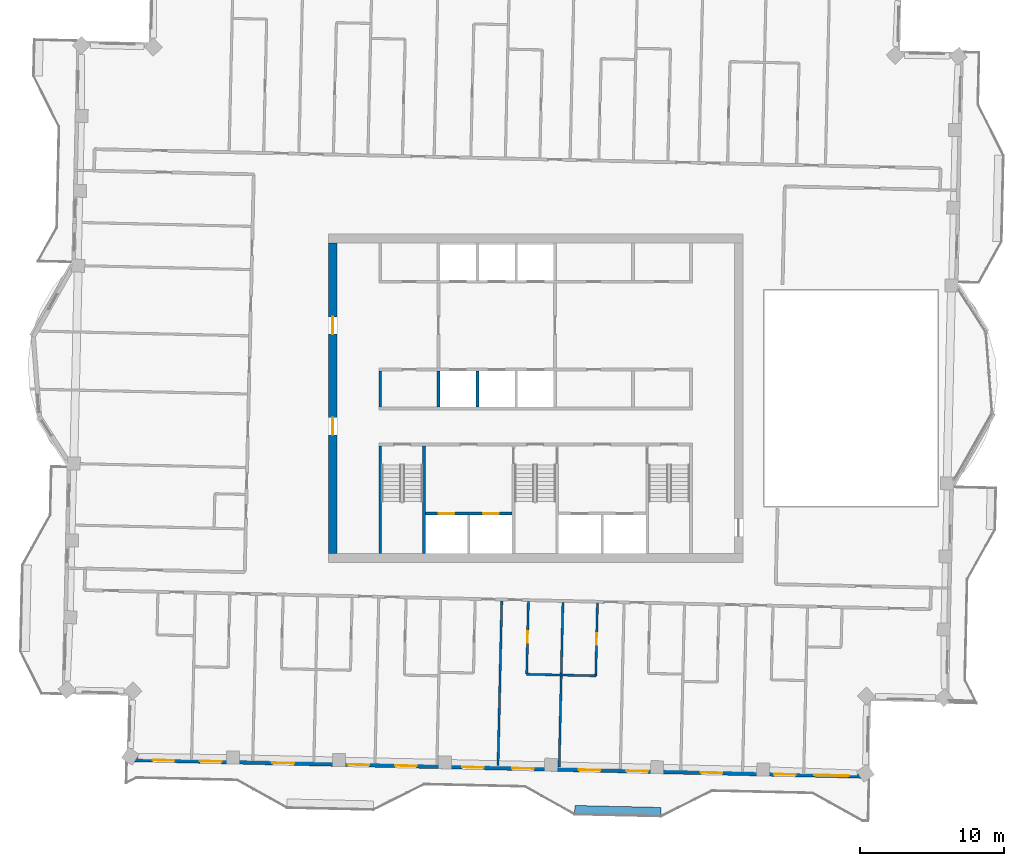
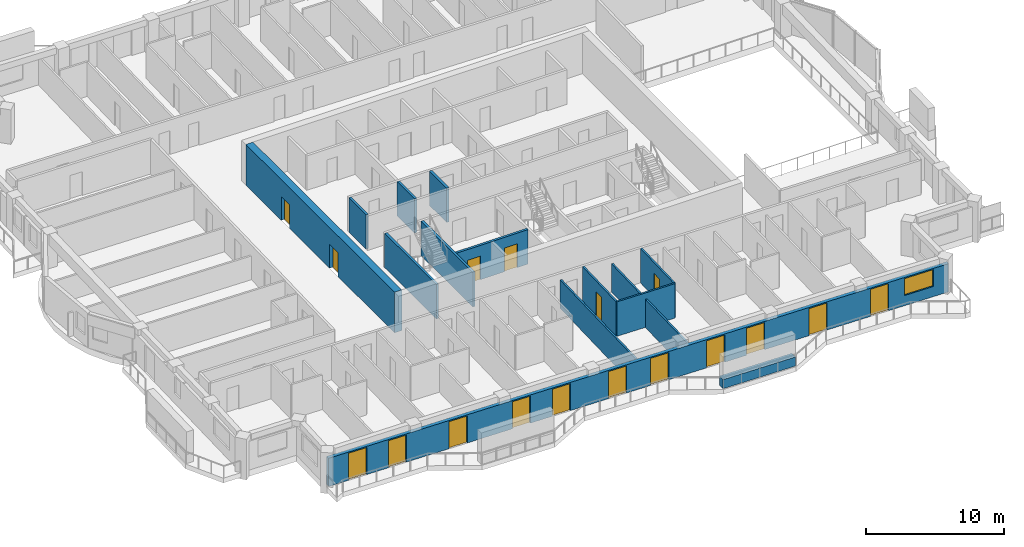
# One storey, part 5 of 15: 17 doors, 14 walls, 1 window, 18 openings.
"""IFC4 building model written with IfcOpenShell, lengths in metres."""

from ifc_helpers import new_model, si_unit, direction, frame, frame_2d, origin, place, context, subcontext, project, spatial, rectangle, extrude, material, layer, layer_set, type_object, element, fill, save


model = new_model("IFC4")

# Units and contexts
model_context = context("Model", 3, precision=1e-05, world=origin(), true_north=direction((0.0, 1.0)))
body_context = subcontext(model_context, "Body", "Model", "MODEL_VIEW")
ifc_project = project(units=[si_unit("LENGTHUNIT", "METRE"), si_unit("AREAUNIT", "SQUARE_METRE"), si_unit("VOLUMEUNIT", "CUBIC_METRE"), si_unit("PLANEANGLEUNIT", "RADIAN"), si_unit("MASSUNIT", "GRAM", prefix="KILO")], contexts=[model_context])

# Site, building, storey
site_placement = place(None, origin())
site = spatial("IfcSite", under=ifc_project, at=site_placement, CompositionType="ELEMENT")
building_placement = place(site_placement, origin())
building = spatial("IfcBuilding", under=site, at=building_placement, Name="Mangrove Gate Tower", CompositionType="ELEMENT")
storey_placement = place(building_placement, frame((0.0, 0.0, 306.10009765625)))
storey = spatial("IfcBuildingStorey", under=building, at=storey_placement, Name="L78", CompositionType="ELEMENT", Elevation=306.10009765625)

# Wall
ifc_material_1 = material(Name="Concrete C32/40", Category="concrete")
ifc_layer_1 = layer(ifc_material_1, 0.199951171875)
ifc_layer_set_1 = layer_set([ifc_layer_1], Name="Core room wall 200 C32/40")
wall_type_1 = type_object("IfcWallType", Name="Core room wall 200 C32/40", PredefinedType="STANDARD", material=ifc_layer_set_1)
wall_1_placement = place(storey_placement, frame((-10.800048828125, -0.60009765625, 0.0), z_axis=(0.0, 0.0, 1.0), x_axis=(0.0, 1.0, 0.0)))
element("IfcWall", 1, at=wall_1_placement, inside=storey, type_object=wall_type_1, Name="WALL-L78-CORE-19", PredefinedType="STANDARD", context=body_context, shape_type="SweptSolid", body=[
    extrude(rectangle(XDim=2.5, YDim=0.199951171875, at=frame_2d((1.25, 0.0))), origin(), (0.0, 0.0, 1.0), 3.0498046875),
])

# Wall, openings, doors
ifc_material_2 = material(Name="Concrete C50/60", Category="concrete")
ifc_layer_2 = layer(ifc_material_2, 0.199951171875)
ifc_layer_set_2 = layer_set([ifc_layer_2], Name="Core shaft wall 200 C50/60")
wall_type_2 = type_object("IfcWallType", Name="Core shaft wall 200 C50/60", PredefinedType="SHEAR", material=ifc_layer_set_2)
wall_2_placement = place(storey_placement, frame((-7.64990234375, -8.0, 0.0), z_axis=(0.0, 0.0, 1.0), x_axis=(1.0, 0.0, 0.0)))
wall_2 = element("IfcWall", 2, at=wall_2_placement, inside=storey, type_object=wall_type_2, Name="WALL-L78-CORE-15", PredefinedType="SHEAR", context=body_context, shape_type="SweptSolid", body=[
    extrude(rectangle(XDim=6.0, YDim=0.199951171875, at=frame_2d((3.0, 0.0))), origin(), (0.0, 0.0, 1.0), 3.0498046875),
])
opening_1_placement = place(wall_2_placement, frame((0.89990234375, 0.0, 0.0)))
opening_1 = element("IfcOpeningElement", 3, at=opening_1_placement, cuts=wall_2, Name="Opening LD", PredefinedType="OPENING", context=body_context, shape_type="SweptSolid", body=[
    extrude(rectangle(XDim=1.10009765625, YDim=2.10009765625, at=frame_2d((0.550048828125, 1.050048828125))), frame((0.0, 0.10986328125, 0.0), z_axis=(0.0, -1.0, 0.0), x_axis=(1.0, 0.0, 0.0)), (0.0, 0.0, 1.0), 0.219970703125),
])
opening_2_placement = place(wall_2_placement, frame((4.0, 0.0, 0.0)))
opening_2 = element("IfcOpeningElement", 4, at=opening_2_placement, cuts=wall_2, Name="Opening LD", PredefinedType="OPENING", context=body_context, shape_type="SweptSolid", body=[
    extrude(rectangle(XDim=1.10009765625, YDim=2.10009765625, at=frame_2d((0.550048828125, 1.050048828125))), frame((0.0, 0.10986328125, 0.0), z_axis=(0.0, -1.0, 0.0), x_axis=(1.0, 0.0, 0.0)), (0.0, 0.0, 1.0), 0.219970703125),
])
ifc_material_3 = material(Name="Stainless steel 316", Category="steel")
door_type_1 = type_object("IfcDoorType", Name="Lift landing door 1100x2100", OperationType="SLIDING_TO_LEFT", PredefinedType="DOOR", material=ifc_material_3)
door_1_placement = place(opening_1_placement, origin())
door_1 = element("IfcDoor", 5, at=door_1_placement, inside=storey, type_object=door_type_1, Name="Landing door LD SVL1", OperationType="SLIDING_TO_LEFT", OverallHeight=2.10009765625, OverallWidth=1.10009765625, PredefinedType="DOOR", context=body_context, shape_type="SweptSolid", body=[
    extrude(rectangle(XDim=1.10009765625, YDim=2.10009765625, at=frame_2d((0.550048828125, 1.050048828125))), frame((0.0, 0.02490234375, 0.0), z_axis=(0.0, -1.0, 0.0), x_axis=(1.0, 0.0, 0.0)), (0.0, 0.0, 1.0), 0.050048828125),
])
fill(opening_1, door_1)
door_2_placement = place(opening_2_placement, origin())
door_2 = element("IfcDoor", 6, at=door_2_placement, inside=storey, type_object=door_type_1, Name="Landing door LD SVL2", OperationType="SLIDING_TO_LEFT", OverallHeight=2.10009765625, OverallWidth=1.10009765625, PredefinedType="DOOR", context=body_context, shape_type="SweptSolid", body=[
    extrude(rectangle(XDim=1.10009765625, YDim=2.10009765625, at=frame_2d((0.550048828125, 1.050048828125))), frame((0.0, 0.02490234375, 0.0), z_axis=(0.0, -1.0, 0.0), x_axis=(1.0, 0.0, 0.0)), (0.0, 0.0, 1.0), 0.050048828125),
])
fill(opening_2, door_2)

# Walls
for number, where, z_axis, x_axis, name in (
    (7, (-6.75, -0.60009765625, 0.0), (0.0, 0.0, 1.0), (0.0, 1.0, 0.0), "WALL-L78-CORE-20"),
    (8, (-4.050048828125, -0.60009765625, 0.0), (0.0, 0.0, 1.0), (0.0, 1.0, 0.0), "WALL-L78-CORE-21"),
):
    element("IfcWall", number, at=place(storey_placement, frame(where, z_axis=z_axis, x_axis=x_axis)), inside=storey, type_object=wall_type_2, Name=name, PredefinedType="SHEAR", context=body_context, shape_type="SweptSolid", body=[
        extrude(rectangle(XDim=2.5, YDim=0.199951171875, at=frame_2d((1.25, 0.0))), origin(), (0.0, 0.0, 1.0), 3.0498046875),
    ])
ifc_material_4 = material(Name="Concrete C50/60", Category="concrete")
ifc_layer_3 = layer(ifc_material_4, 0.199951171875)
ifc_layer_set_3 = layer_set([ifc_layer_3], Name="Core stair wall 200 C50/60")
wall_type_3 = type_object("IfcWallType", Name="Core stair wall 200 C50/60", PredefinedType="SHEAR", material=ifc_layer_set_3)
for number, where, z_axis, x_axis, name in (
    (9, (-10.800048828125, -10.800048828125, 0.0), (0.0, 0.0, 1.0), (0.0, 1.0, 0.0), "WALL-L78-CORE-9"),
    (10, (-7.75, -10.800048828125, 0.0), (0.0, 0.0, 1.0), (0.0, 1.0, 0.0), "WALL-L78-CORE-10"),
):
    element("IfcWall", number, at=place(storey_placement, frame(where, z_axis=z_axis, x_axis=x_axis)), inside=storey, type_object=wall_type_3, Name=name, PredefinedType="SHEAR", context=body_context, shape_type="SweptSolid", body=[
        extrude(rectangle(XDim=7.5, YDim=0.199951171875, at=frame_2d((3.75, 0.0))), origin(), (0.0, 0.0, 1.0), 3.0498046875),
    ])

# Wall, openings, doors
ifc_material_5 = material(Name="Concrete C50/60", Category="concrete")
ifc_layer_4 = layer(ifc_material_5, 0.60009765625)
ifc_layer_set_4 = layer_set([ifc_layer_4], Name="Core wall 600 C50/60")
wall_type_4 = type_object("IfcWallType", Name="Core wall 600 C50/60", PredefinedType="SHEAR", material=ifc_layer_set_4)
wall_3_placement = place(storey_placement, frame((-14.10009765625, -10.800048828125, 0.0), z_axis=(0.0, 0.0, 1.0), x_axis=(0.0, 1.0, 0.0)))
wall_3 = element("IfcWall", 11, at=wall_3_placement, inside=storey, type_object=wall_type_4, Name="WALL-L78-CORE-3", PredefinedType="SHEAR", context=body_context, shape_type="SweptSolid", body=[
    extrude(rectangle(XDim=21.60009765625, YDim=0.60009765625, at=frame_2d((10.800048828125, 0.0))), origin(), (0.0, 0.0, 1.0), 3.599853515625),
])
opening_3_placement = place(wall_3_placement, frame((8.25, 0.0, 0.0)))
opening_3 = element("IfcOpeningElement", 12, at=opening_3_placement, cuts=wall_3, Name="Opening CD", PredefinedType="OPENING", context=body_context, shape_type="SweptSolid", body=[
    extrude(rectangle(XDim=1.199951171875, YDim=2.10009765625, at=frame_2d((0.60009765625, 1.050048828125))), frame((0.0, 0.31005859375, 0.0), z_axis=(0.0, -1.0, 0.0), x_axis=(1.0, 0.0, 0.0)), (0.0, 0.0, 1.0), 0.6201171875),
])
opening_4_placement = place(wall_3_placement, frame((15.25, 0.0, 0.0)))
opening_4 = element("IfcOpeningElement", 13, at=opening_4_placement, cuts=wall_3, Name="Opening CD", PredefinedType="OPENING", context=body_context, shape_type="SweptSolid", body=[
    extrude(rectangle(XDim=1.199951171875, YDim=2.10009765625, at=frame_2d((0.60009765625, 1.050048828125))), frame((0.0, 0.31005859375, 0.0), z_axis=(0.0, -1.0, 0.0), x_axis=(1.0, 0.0, 0.0)), (0.0, 0.0, 1.0), 0.6201171875),
])
ifc_material_6 = material(Name="Fire-rated steel door set", Category="steel")
door_type_2 = type_object("IfcDoorType", Name="Core ring door FD60 1200x2100", OperationType="DOUBLE_DOOR_SINGLE_SWING", PredefinedType="DOOR", material=ifc_material_6)
door_3_placement = place(opening_3_placement, origin())
door_3 = element("IfcDoor", 14, at=door_3_placement, inside=storey, type_object=door_type_2, Name="Core ring door W1", OperationType="DOUBLE_DOOR_SINGLE_SWING", OverallHeight=2.10009765625, OverallWidth=1.199951171875, PredefinedType="DOOR", context=body_context, shape_type="SweptSolid", body=[
    extrude(rectangle(XDim=1.199951171875, YDim=2.10009765625, at=frame_2d((0.60009765625, 1.050048828125))), frame((0.0, 0.02490234375, 0.0), z_axis=(0.0, -1.0, 0.0), x_axis=(1.0, 0.0, 0.0)), (0.0, 0.0, 1.0), 0.050048828125),
])
fill(opening_3, door_3)
door_4_placement = place(opening_4_placement, origin())
door_4 = element("IfcDoor", 15, at=door_4_placement, inside=storey, type_object=door_type_2, Name="Core ring door W2", OperationType="DOUBLE_DOOR_SINGLE_SWING", OverallHeight=2.10009765625, OverallWidth=1.199951171875, PredefinedType="DOOR", context=body_context, shape_type="SweptSolid", body=[
    extrude(rectangle(XDim=1.199951171875, YDim=2.10009765625, at=frame_2d((0.60009765625, 1.050048828125))), frame((0.0, 0.02490234375, 0.0), z_axis=(0.0, -1.0, 0.0), x_axis=(1.0, 0.0, 0.0)), (0.0, 0.0, 1.0), 0.050048828125),
])
fill(opening_4, door_4)

# Wall, openings, doors, window
ifc_material_7 = material(Name="Limestone", Category="masonry")
ifc_layer_5 = layer(ifc_material_7, 0.0400390625, Name="Limestone cladding")
ifc_material_8 = material(Name="Ventilated air gap")
ifc_layer_6 = layer(ifc_material_8, 0.0400390625, Name="Ventilated cavity")
ifc_material_9 = material(Name="Mineral wool insulation")
ifc_layer_7 = layer(ifc_material_9, 0.06005859375, Name="Insulation")
ifc_material_10 = material(Name="Breather membrane")
ifc_layer_8 = layer(ifc_material_10, 0.001953125, Name="Breather membrane")
ifc_material_11 = material(Name="Concrete C20/25 blockwork", Category="masonry")
ifc_layer_9 = layer(ifc_material_11, 0.14990234375, Name="Blockwork backing wall")
ifc_material_12 = material(Name="Gypsum plaster")
ifc_layer_10 = layer(ifc_material_12, 0.008056640625, Name="Internal plaster")
ifc_layer_set_5 = layer_set([ifc_layer_5, ifc_layer_6, ifc_layer_7, ifc_layer_8, ifc_layer_9, ifc_layer_10], Name="External wall 300 limestone cladding")
wall_type_5 = type_object("IfcWallType", Name="External wall 300 limestone cladding", PredefinedType="SOLIDWALL", material=ifc_layer_set_5)
wall_4_placement = place(storey_placement, frame((-28.263916015625, -25.10205078125, 0.0), z_axis=(0.0, 0.0, 1.0), x_axis=(0.999742520573, -0.022691244094, 0.0)))
wall_4 = element("IfcWall", 16, at=wall_4_placement, inside=storey, type_object=wall_type_5, Name="WALL-L78-S13", PredefinedType="SOLIDWALL", context=body_context, shape_type="SweptSolid", body=[
    extrude(rectangle(XDim=51.300048828125, YDim=0.300048828125, at=frame_2d((25.64990234375, 0.0))), origin(), (0.0, 0.0, 1.0), 2.5),
])
opening_5_placement = place(wall_4_placement, frame((1.654052734375, 0.0, 0.0)))
opening_5 = element("IfcOpeningElement", 17, at=opening_5_placement, cuts=wall_4, Name="Opening BD1", PredefinedType="OPENING", context=body_context, shape_type="SweptSolid", body=[
    extrude(rectangle(XDim=1.5, YDim=2.39990234375, at=frame_2d((0.75, 1.199951171875))), frame((0.0, 0.159912109375, 0.0), z_axis=(0.0, -1.0, 0.0), x_axis=(1.0, 0.0, 0.0)), (0.0, 0.0, 1.0), 0.320068359375),
])
opening_6_placement = place(wall_4_placement, frame((4.93603515625, 0.0, 0.0)))
opening_6 = element("IfcOpeningElement", 18, at=opening_6_placement, cuts=wall_4, Name="Opening BD1", PredefinedType="OPENING", context=body_context, shape_type="SweptSolid", body=[
    extrude(rectangle(XDim=1.5, YDim=2.39990234375, at=frame_2d((0.75, 1.199951171875))), frame((0.0, 0.159912109375, 0.0), z_axis=(0.0, -1.0, 0.0), x_axis=(1.0, 0.0, 0.0)), (0.0, 0.0, 1.0), 0.320068359375),
])
opening_7_placement = place(wall_4_placement, frame((9.97509765625, 0.0, 0.0)))
opening_7 = element("IfcOpeningElement", 19, at=opening_7_placement, cuts=wall_4, Name="Opening BD1", PredefinedType="OPENING", context=body_context, shape_type="SweptSolid", body=[
    extrude(rectangle(XDim=1.5, YDim=2.39990234375, at=frame_2d((0.75, 1.199951171875))), frame((0.0, 0.159912109375, 0.0), z_axis=(0.0, -1.0, 0.0), x_axis=(1.0, 0.0, 0.0)), (0.0, 0.0, 1.0), 0.320068359375),
])
opening_8_placement = place(wall_4_placement, frame((15.196044921875, 0.0, 0.0)))
opening_8 = element("IfcOpeningElement", 20, at=opening_8_placement, cuts=wall_4, Name="Opening BD1", PredefinedType="OPENING", context=body_context, shape_type="SweptSolid", body=[
    extrude(rectangle(XDim=1.5, YDim=2.39990234375, at=frame_2d((0.75, 1.199951171875))), frame((0.0, 0.159912109375, 0.0), z_axis=(0.0, -1.0, 0.0), x_axis=(1.0, 0.0, 0.0)), (0.0, 0.0, 1.0), 0.320068359375),
])
opening_9_placement = place(wall_4_placement, frame((18.5, 0.0, 0.0)))
opening_9 = element("IfcOpeningElement", 21, at=opening_9_placement, cuts=wall_4, Name="Opening BD1", PredefinedType="OPENING", context=body_context, shape_type="SweptSolid", body=[
    extrude(rectangle(XDim=1.5, YDim=2.39990234375, at=frame_2d((0.75, 1.199951171875))), frame((0.0, 0.159912109375, 0.0), z_axis=(0.0, -1.0, 0.0), x_axis=(1.0, 0.0, 0.0)), (0.0, 0.0, 1.0), 0.320068359375),
])
opening_10_placement = place(wall_4_placement, frame((23.156982421875, 0.0, 0.0)))
opening_10 = element("IfcOpeningElement", 22, at=opening_10_placement, cuts=wall_4, Name="Opening BD1", PredefinedType="OPENING", context=body_context, shape_type="SweptSolid", body=[
    extrude(rectangle(XDim=1.5, YDim=2.39990234375, at=frame_2d((0.75, 1.199951171875))), frame((0.0, 0.159912109375, 0.0), z_axis=(0.0, -1.0, 0.0), x_axis=(1.0, 0.0, 0.0)), (0.0, 0.0, 1.0), 0.320068359375),
])
opening_11_placement = place(wall_4_placement, frame((26.64306640625, 0.0, 0.0)))
opening_11 = element("IfcOpeningElement", 23, at=opening_11_placement, cuts=wall_4, Name="Opening BD1", PredefinedType="OPENING", context=body_context, shape_type="SweptSolid", body=[
    extrude(rectangle(XDim=1.5, YDim=2.39990234375, at=frame_2d((0.75, 1.199951171875))), frame((0.0, 0.159912109375, 0.0), z_axis=(0.0, -1.0, 0.0), x_axis=(1.0, 0.0, 0.0)), (0.0, 0.0, 1.0), 0.320068359375),
])
opening_12_placement = place(wall_4_placement, frame((31.27490234375, 0.0, 0.0)))
opening_12 = element("IfcOpeningElement", 24, at=opening_12_placement, cuts=wall_4, Name="Opening BD1", PredefinedType="OPENING", context=body_context, shape_type="SweptSolid", body=[
    extrude(rectangle(XDim=1.5, YDim=2.39990234375, at=frame_2d((0.75, 1.199951171875))), frame((0.0, 0.159912109375, 0.0), z_axis=(0.0, -1.0, 0.0), x_axis=(1.0, 0.0, 0.0)), (0.0, 0.0, 1.0), 0.320068359375),
])
opening_13_placement = place(wall_4_placement, frame((34.577880859375, 0.0, 0.0)))
opening_13 = element("IfcOpeningElement", 25, at=opening_13_placement, cuts=wall_4, Name="Opening BD1", PredefinedType="OPENING", context=body_context, shape_type="SweptSolid", body=[
    extrude(rectangle(XDim=1.5, YDim=2.39990234375, at=frame_2d((0.75, 1.199951171875))), frame((0.0, 0.159912109375, 0.0), z_axis=(0.0, -1.0, 0.0), x_axis=(1.0, 0.0, 0.0)), (0.0, 0.0, 1.0), 0.320068359375),
])
opening_14_placement = place(wall_4_placement, frame((39.75, 0.0, 0.0)))
opening_14 = element("IfcOpeningElement", 26, at=opening_14_placement, cuts=wall_4, Name="Opening BD1", PredefinedType="OPENING", context=body_context, shape_type="SweptSolid", body=[
    extrude(rectangle(XDim=1.5, YDim=2.39990234375, at=frame_2d((0.75, 1.199951171875))), frame((0.0, 0.159912109375, 0.0), z_axis=(0.0, -1.0, 0.0), x_axis=(1.0, 0.0, 0.0)), (0.0, 0.0, 1.0), 0.320068359375),
])
opening_15_placement = place(wall_4_placement, frame((44.839111328125, 0.0, 0.0)))
opening_15 = element("IfcOpeningElement", 27, at=opening_15_placement, cuts=wall_4, Name="Opening BD1", PredefinedType="OPENING", context=body_context, shape_type="SweptSolid", body=[
    extrude(rectangle(XDim=1.5, YDim=2.39990234375, at=frame_2d((0.75, 1.199951171875))), frame((0.0, 0.159912109375, 0.0), z_axis=(0.0, -1.0, 0.0), x_axis=(1.0, 0.0, 0.0)), (0.0, 0.0, 1.0), 0.320068359375),
])
opening_16_placement = place(wall_4_placement, frame((47.6279296875, 0.0, 0.89990234375)))
opening_16 = element("IfcOpeningElement", 28, at=opening_16_placement, cuts=wall_4, Name="Opening W2", PredefinedType="OPENING", context=body_context, shape_type="SweptSolid", body=[
    extrude(rectangle(XDim=2.39990234375, YDim=1.5, at=frame_2d((1.199951171875, 0.75))), frame((0.0, 0.159912109375, 0.0), z_axis=(0.0, -1.0, 0.0), x_axis=(1.0, 0.0, 0.0)), (0.0, 0.0, 1.0), 0.320068359375),
])
ifc_material_13 = material(Name="Aluminium frame with laminated clear glass", Category="aluminium")
door_type_3 = type_object("IfcDoorType", Name="Balcony sliding door 1500x2400", OperationType="SLIDING_TO_LEFT", PredefinedType="DOOR", material=ifc_material_13)
door_5_placement = place(opening_5_placement, origin())
door_5 = element("IfcDoor", 29, at=door_5_placement, inside=storey, type_object=door_type_3, Name="DOOR-L78-S13-1", OperationType="SLIDING_TO_LEFT", OverallHeight=2.39990234375, OverallWidth=1.5, PredefinedType="DOOR", context=body_context, shape_type="SweptSolid", body=[
    extrude(rectangle(XDim=1.5, YDim=2.39990234375, at=frame_2d((0.75, 1.199951171875))), frame((0.0, 0.02490234375, 0.0), z_axis=(0.0, -1.0, 0.0), x_axis=(1.0, 0.0, 0.0)), (0.0, 0.0, 1.0), 0.050048828125),
])
fill(opening_5, door_5)
door_6_placement = place(opening_6_placement, origin())
door_6 = element("IfcDoor", 30, at=door_6_placement, inside=storey, type_object=door_type_3, Name="DOOR-L78-S13-2", OperationType="SLIDING_TO_LEFT", OverallHeight=2.39990234375, OverallWidth=1.5, PredefinedType="DOOR", context=body_context, shape_type="SweptSolid", body=[
    extrude(rectangle(XDim=1.5, YDim=2.39990234375, at=frame_2d((0.75, 1.199951171875))), frame((0.0, 0.02490234375, 0.0), z_axis=(0.0, -1.0, 0.0), x_axis=(1.0, 0.0, 0.0)), (0.0, 0.0, 1.0), 0.050048828125),
])
fill(opening_6, door_6)
door_7_placement = place(opening_7_placement, origin())
door_7 = element("IfcDoor", 31, at=door_7_placement, inside=storey, type_object=door_type_3, Name="DOOR-L78-S13-3", OperationType="SLIDING_TO_LEFT", OverallHeight=2.39990234375, OverallWidth=1.5, PredefinedType="DOOR", context=body_context, shape_type="SweptSolid", body=[
    extrude(rectangle(XDim=1.5, YDim=2.39990234375, at=frame_2d((0.75, 1.199951171875))), frame((0.0, 0.02490234375, 0.0), z_axis=(0.0, -1.0, 0.0), x_axis=(1.0, 0.0, 0.0)), (0.0, 0.0, 1.0), 0.050048828125),
])
fill(opening_7, door_7)
door_8_placement = place(opening_8_placement, origin())
door_8 = element("IfcDoor", 32, at=door_8_placement, inside=storey, type_object=door_type_3, Name="DOOR-L78-S13-4", OperationType="SLIDING_TO_LEFT", OverallHeight=2.39990234375, OverallWidth=1.5, PredefinedType="DOOR", context=body_context, shape_type="SweptSolid", body=[
    extrude(rectangle(XDim=1.5, YDim=2.39990234375, at=frame_2d((0.75, 1.199951171875))), frame((0.0, 0.02490234375, 0.0), z_axis=(0.0, -1.0, 0.0), x_axis=(1.0, 0.0, 0.0)), (0.0, 0.0, 1.0), 0.050048828125),
])
fill(opening_8, door_8)
door_9_placement = place(opening_9_placement, origin())
door_9 = element("IfcDoor", 33, at=door_9_placement, inside=storey, type_object=door_type_3, Name="DOOR-L78-S13-5", OperationType="SLIDING_TO_LEFT", OverallHeight=2.39990234375, OverallWidth=1.5, PredefinedType="DOOR", context=body_context, shape_type="SweptSolid", body=[
    extrude(rectangle(XDim=1.5, YDim=2.39990234375, at=frame_2d((0.75, 1.199951171875))), frame((0.0, 0.02490234375, 0.0), z_axis=(0.0, -1.0, 0.0), x_axis=(1.0, 0.0, 0.0)), (0.0, 0.0, 1.0), 0.050048828125),
])
fill(opening_9, door_9)
door_10_placement = place(opening_10_placement, origin())
door_10 = element("IfcDoor", 34, at=door_10_placement, inside=storey, type_object=door_type_3, Name="DOOR-L78-S13-6", OperationType="SLIDING_TO_LEFT", OverallHeight=2.39990234375, OverallWidth=1.5, PredefinedType="DOOR", context=body_context, shape_type="SweptSolid", body=[
    extrude(rectangle(XDim=1.5, YDim=2.39990234375, at=frame_2d((0.75, 1.199951171875))), frame((0.0, 0.02490234375, 0.0), z_axis=(0.0, -1.0, 0.0), x_axis=(1.0, 0.0, 0.0)), (0.0, 0.0, 1.0), 0.050048828125),
])
fill(opening_10, door_10)
door_11_placement = place(opening_11_placement, origin())
door_11 = element("IfcDoor", 35, at=door_11_placement, inside=storey, type_object=door_type_3, Name="DOOR-L78-S13-7", OperationType="SLIDING_TO_LEFT", OverallHeight=2.39990234375, OverallWidth=1.5, PredefinedType="DOOR", context=body_context, shape_type="SweptSolid", body=[
    extrude(rectangle(XDim=1.5, YDim=2.39990234375, at=frame_2d((0.75, 1.199951171875))), frame((0.0, 0.02490234375, 0.0), z_axis=(0.0, -1.0, 0.0), x_axis=(1.0, 0.0, 0.0)), (0.0, 0.0, 1.0), 0.050048828125),
])
fill(opening_11, door_11)
door_12_placement = place(opening_12_placement, origin())
door_12 = element("IfcDoor", 36, at=door_12_placement, inside=storey, type_object=door_type_3, Name="DOOR-L78-S13-8", OperationType="SLIDING_TO_LEFT", OverallHeight=2.39990234375, OverallWidth=1.5, PredefinedType="DOOR", context=body_context, shape_type="SweptSolid", body=[
    extrude(rectangle(XDim=1.5, YDim=2.39990234375, at=frame_2d((0.75, 1.199951171875))), frame((0.0, 0.02490234375, 0.0), z_axis=(0.0, -1.0, 0.0), x_axis=(1.0, 0.0, 0.0)), (0.0, 0.0, 1.0), 0.050048828125),
])
fill(opening_12, door_12)
door_13_placement = place(opening_13_placement, origin())
door_13 = element("IfcDoor", 37, at=door_13_placement, inside=storey, type_object=door_type_3, Name="DOOR-L78-S13-9", OperationType="SLIDING_TO_LEFT", OverallHeight=2.39990234375, OverallWidth=1.5, PredefinedType="DOOR", context=body_context, shape_type="SweptSolid", body=[
    extrude(rectangle(XDim=1.5, YDim=2.39990234375, at=frame_2d((0.75, 1.199951171875))), frame((0.0, 0.02490234375, 0.0), z_axis=(0.0, -1.0, 0.0), x_axis=(1.0, 0.0, 0.0)), (0.0, 0.0, 1.0), 0.050048828125),
])
fill(opening_13, door_13)
door_14_placement = place(opening_14_placement, origin())
door_14 = element("IfcDoor", 38, at=door_14_placement, inside=storey, type_object=door_type_3, Name="DOOR-L78-S13-10", OperationType="SLIDING_TO_LEFT", OverallHeight=2.39990234375, OverallWidth=1.5, PredefinedType="DOOR", context=body_context, shape_type="SweptSolid", body=[
    extrude(rectangle(XDim=1.5, YDim=2.39990234375, at=frame_2d((0.75, 1.199951171875))), frame((0.0, 0.02490234375, 0.0), z_axis=(0.0, -1.0, 0.0), x_axis=(1.0, 0.0, 0.0)), (0.0, 0.0, 1.0), 0.050048828125),
])
fill(opening_14, door_14)
door_15_placement = place(opening_15_placement, origin())
door_15 = element("IfcDoor", 39, at=door_15_placement, inside=storey, type_object=door_type_3, Name="DOOR-L78-S13-11", OperationType="SLIDING_TO_LEFT", OverallHeight=2.39990234375, OverallWidth=1.5, PredefinedType="DOOR", context=body_context, shape_type="SweptSolid", body=[
    extrude(rectangle(XDim=1.5, YDim=2.39990234375, at=frame_2d((0.75, 1.199951171875))), frame((0.0, 0.02490234375, 0.0), z_axis=(0.0, -1.0, 0.0), x_axis=(1.0, 0.0, 0.0)), (0.0, 0.0, 1.0), 0.050048828125),
])
fill(opening_15, door_15)
ifc_material_14 = material(Name="Aluminium frame with double-glazed low-e glass", Category="aluminium")
window_type = type_object("IfcWindowType", Name="Corner room window 2400x1500", PartitioningType="DOUBLE_PANEL_VERTICAL", PredefinedType="WINDOW", material=ifc_material_14)
window_placement = place(opening_16_placement, origin())
window = element("IfcWindow", 40, at=window_placement, inside=storey, type_object=window_type, Name="WIN-L78-S13-12", OverallHeight=1.5, OverallWidth=2.39990234375, PartitioningType="DOUBLE_PANEL_VERTICAL", PredefinedType="WINDOW", context=body_context, shape_type="SweptSolid", body=[
    extrude(rectangle(XDim=2.39990234375, YDim=1.5, at=frame_2d((1.199951171875, 0.75))), frame((0.0, 0.030029296875, 0.0), z_axis=(0.0, -1.0, 0.0), x_axis=(1.0, 0.0, 0.0)), (0.0, 0.0, 1.0), 0.06005859375),
])
fill(opening_16, window)

# Walls
ifc_material_15 = material(Name="Gypsum board on steel stud, EI 60", Category="steel")
ifc_layer_11 = layer(ifc_material_15, 0.14990234375)
ifc_layer_set_6 = layer_set([ifc_layer_11], Name="Party wall 150 EI 60")
wall_type_6 = type_object("IfcWallType", Name="Party wall 150 EI 60", PredefinedType="PARTITIONING", material=ifc_layer_set_6)
wall_5_placement = place(storey_placement, frame((-2.616943359375, -25.533935546875, 0.0), z_axis=(0.0, 0.0, 1.0), x_axis=(0.022708327922, 0.999742132674, 0.0)))
element("IfcWall", 41, at=wall_5_placement, inside=storey, type_object=wall_type_6, Name="WALL-L78-006", PredefinedType="PARTITIONING", context=body_context, shape_type="SweptSolid", body=[
    extrude(rectangle(XDim=11.449951171875, YDim=0.14990234375, at=frame_2d((5.72509765625, 0.0))), origin(), (0.0, 0.0, 1.0), 2.5),
])
wall_6_placement = place(storey_placement, frame((1.632080078125, -25.6298828125, 0.0), z_axis=(0.0, 0.0, 1.0), x_axis=(0.022708812003, 0.999742121678, 0.0)))
element("IfcWall", 42, at=wall_6_placement, inside=storey, type_object=wall_type_6, Name="WALL-L78-007", PredefinedType="PARTITIONING", context=body_context, shape_type="SweptSolid", body=[
    extrude(rectangle(XDim=11.44970703125, YDim=0.14990234375, at=frame_2d((5.724853515625, 0.0))), origin(), (0.0, 0.0, 1.0), 2.5),
])
wall_7_placement = place(storey_placement, frame((-0.6220703125, -19.177978515625, 0.0), z_axis=(0.0, 0.0, 1.0), x_axis=(0.999747191239, -0.022484519337, 0.0)))
element("IfcWall", 43, at=wall_7_placement, inside=storey, type_object=wall_type_6, Name="WALL-L78-023", PredefinedType="PARTITIONING", context=body_context, shape_type="SweptSolid", body=[
    extrude(rectangle(XDim=4.79931640625, YDim=0.14990234375, at=frame_2d((2.399658203125, 0.0))), origin(), (0.0, 0.0, 1.0), 3.0498046875),
])

# Wall, opening, door
wall_8_placement = place(storey_placement, frame((-0.6220703125, -19.177978515625, 0.0), z_axis=(0.0, 0.0, 1.0), x_axis=(0.02257535817, 0.999745144126, 0.0)))
wall_8 = element("IfcWall", 44, at=wall_8_placement, inside=storey, type_object=wall_type_6, Name="WALL-L78-024", PredefinedType="PARTITIONING", context=body_context, shape_type="SweptSolid", body=[
    extrude(rectangle(XDim=5.05029296875, YDim=0.14990234375, at=frame_2d((2.525146484375, 0.0))), origin(), (0.0, 0.0, 1.0), 3.0498046875),
])
opening_17_placement = place(wall_8_placement, frame((2.175048828125, 0.0, 0.0)))
opening_17 = element("IfcOpeningElement", 45, at=opening_17_placement, cuts=wall_8, Name="Opening ED", PredefinedType="OPENING", context=body_context, shape_type="SweptSolid", body=[
    extrude(rectangle(XDim=0.800048828125, YDim=2.10009765625, at=frame_2d((0.39990234375, 1.050048828125))), frame((0.0, 0.0849609375, 0.0), z_axis=(0.0, -1.0, 0.0), x_axis=(1.0, 0.0, 0.0)), (0.0, 0.0, 1.0), 0.169921875),
])
ifc_material_16 = material(Name="Timber door leaf", Category="wood")
door_type_4 = type_object("IfcDoorType", Name="En-suite door 800", OperationType="SINGLE_SWING_LEFT", PredefinedType="DOOR", material=ifc_material_16)
door_16_placement = place(opening_17_placement, origin())
door_16 = element("IfcDoor", 46, at=door_16_placement, inside=storey, type_object=door_type_4, Name="DOOR-L78-ENS-c206", OperationType="SINGLE_SWING_RIGHT", OverallHeight=2.10009765625, OverallWidth=0.800048828125, PredefinedType="DOOR", context=body_context, shape_type="SweptSolid", body=[
    extrude(rectangle(XDim=0.800048828125, YDim=2.10009765625, at=frame_2d((0.39990234375, 1.050048828125))), frame((0.0, 0.02490234375, 0.0), z_axis=(0.0, -1.0, 0.0), x_axis=(1.0, 0.0, 0.0)), (0.0, 0.0, 1.0), 0.050048828125),
])
fill(opening_17, door_16)

wall_9_placement = place(storey_placement, frame((4.176025390625, -19.285888671875, 0.0), z_axis=(0.0, 0.0, 1.0), x_axis=(0.022774126501, 0.999740635946, 0.0)))
wall_9 = element("IfcWall", 47, at=wall_9_placement, inside=storey, type_object=wall_type_6, Name="WALL-L78-025", PredefinedType="PARTITIONING", context=body_context, shape_type="SweptSolid", body=[
    extrude(rectangle(XDim=5.049072265625, YDim=0.14990234375, at=frame_2d((2.5244140625, 0.0))), origin(), (0.0, 0.0, 1.0), 3.0498046875),
])
opening_18_placement = place(wall_9_placement, frame((2.175048828125, 0.0, 0.0)))
opening_18 = element("IfcOpeningElement", 48, at=opening_18_placement, cuts=wall_9, Name="Opening ED", PredefinedType="OPENING", context=body_context, shape_type="SweptSolid", body=[
    extrude(rectangle(XDim=0.800048828125, YDim=2.10009765625, at=frame_2d((0.39990234375, 1.050048828125))), frame((0.0, 0.0849609375, 0.0), z_axis=(0.0, -1.0, 0.0), x_axis=(1.0, 0.0, 0.0)), (0.0, 0.0, 1.0), 0.169921875),
])
door_17_placement = place(opening_18_placement, origin())
door_17 = element("IfcDoor", 49, at=door_17_placement, inside=storey, type_object=door_type_4, Name="DOOR-L78-ENS-c207", OperationType="SINGLE_SWING_LEFT", OverallHeight=2.10009765625, OverallWidth=0.800048828125, PredefinedType="DOOR", context=body_context, shape_type="SweptSolid", body=[
    extrude(rectangle(XDim=0.800048828125, YDim=2.10009765625, at=frame_2d((0.39990234375, 1.050048828125))), frame((0.0, 0.02490234375, 0.0), z_axis=(0.0, -1.0, 0.0), x_axis=(1.0, 0.0, 0.0)), (0.0, 0.0, 1.0), 0.050048828125),
])
fill(opening_18, door_17)

# Wall
ifc_material_17 = material(Name="Concrete C32/40", Category="concrete")
ifc_layer_12 = layer(ifc_material_17, 0.199951171875, Name="Planter trough wall")
ifc_material_18 = material(Name="Bituminous waterproofing membrane")
ifc_layer_13 = layer(ifc_material_18, 0.0048828125, Name="Waterproofing")
ifc_material_19 = material(Name="Drainage board and gravel")
ifc_layer_14 = layer(ifc_material_19, 0.044921875, Name="Drainage layer")
ifc_material_20 = material(Name="Planting soil")
ifc_layer_15 = layer(ifc_material_20, 0.300048828125, Name="Growing medium")
ifc_layer_set_7 = layer_set([ifc_layer_12, ifc_layer_13, ifc_layer_14, ifc_layer_15], Name="Planter wall 550 C32/40")
wall_type_7 = type_object("IfcWallType", Name="Planter wall 550 C32/40", PredefinedType="USERDEFINED", material=ifc_layer_set_7)
wall_10_placement = place(storey_placement, frame((2.715087890625, -28.571044921875, 0.0), z_axis=(0.0, 0.0, 1.0), x_axis=(0.999743178102, -0.022662255828, 0.0)))
element("IfcWall", 50, at=wall_10_placement, inside=storey, type_object=wall_type_7, Name="PLANTER L78 S1.1", ObjectType="PLANTER", PredefinedType="USERDEFINED", context=body_context, shape_type="SweptSolid", body=[
    extrude(rectangle(XDim=6.00048828125, YDim=0.550048828125, at=frame_2d((3.000244140625, 0.0))), origin(), (0.0, 0.0, 1.0), 0.7998046875),
])

save(model, "model.ifc")
